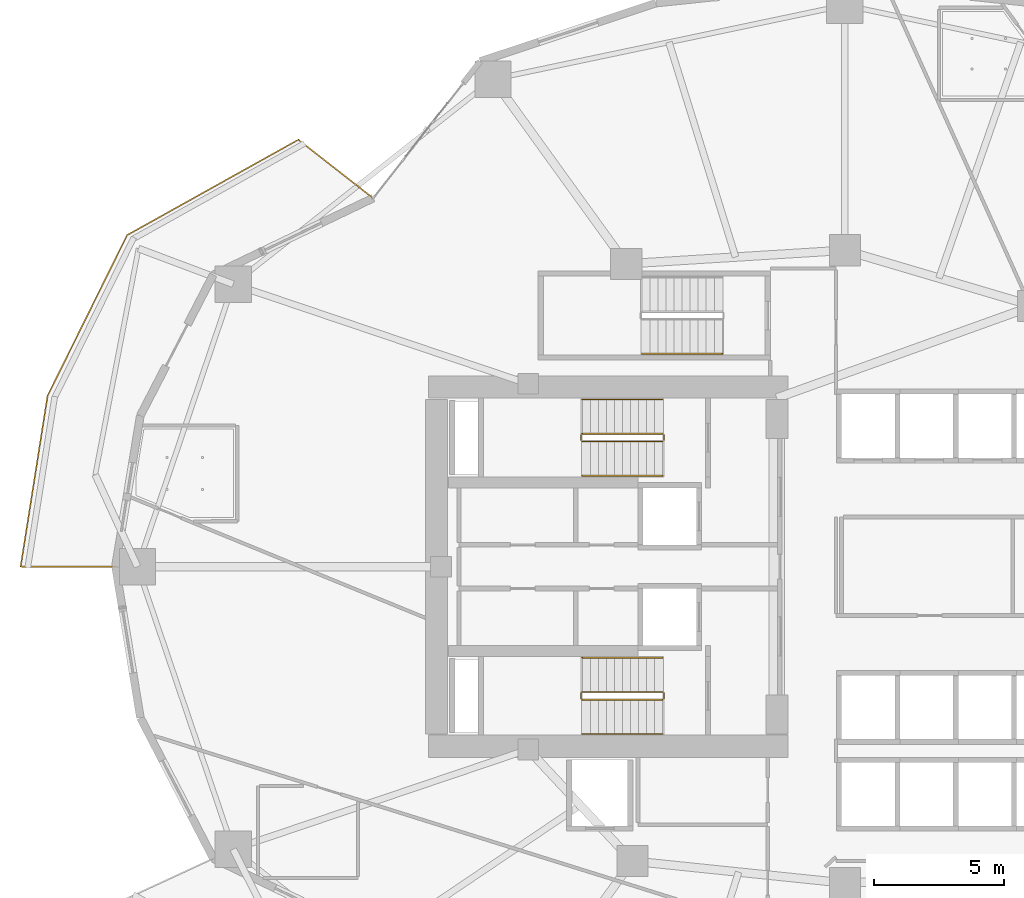
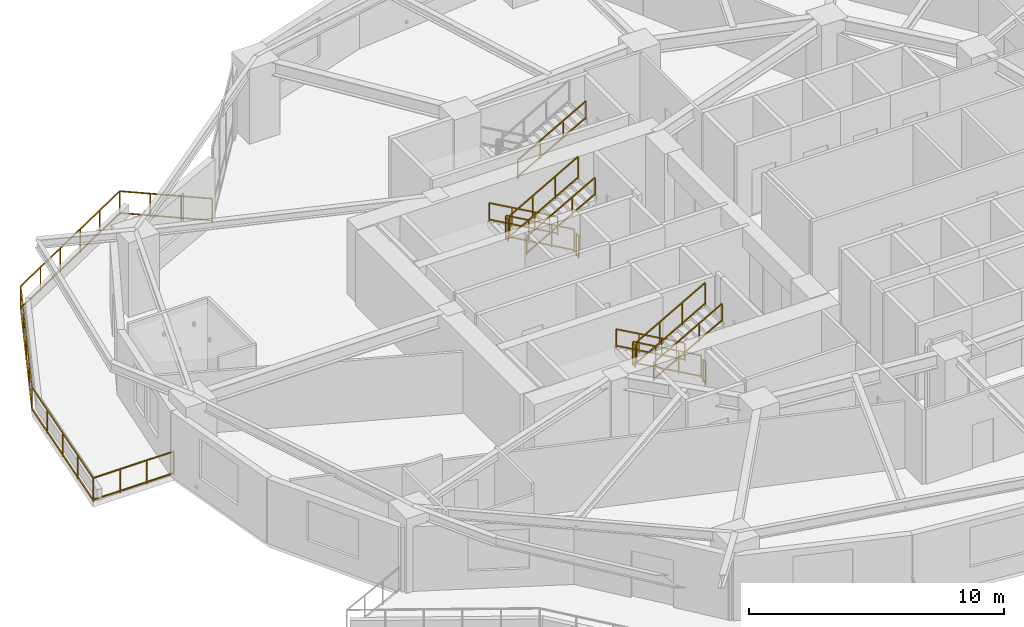
# One storey, part 15 of 18: 14 railings.
"""IFC4 building model written with IfcOpenShell, lengths in metres."""

from ifc_helpers import new_model, si_unit, direction, frame, origin, origin_2d, place, context, subcontext, project, spatial, rectangle, extrude, material, type_object, element, save


model = new_model("IFC4")

# Units and contexts
model_context = context("Model", 3, precision=1e-05, world=origin(), true_north=direction((0.0, 1.0)))
body_context = subcontext(model_context, "Body", "Model", "MODEL_VIEW")
ifc_project = project(units=[si_unit("LENGTHUNIT", "METRE"), si_unit("AREAUNIT", "SQUARE_METRE"), si_unit("VOLUMEUNIT", "CUBIC_METRE"), si_unit("PLANEANGLEUNIT", "RADIAN"), si_unit("MASSUNIT", "GRAM", prefix="KILO")], contexts=[model_context])

# Site, building, storey
site_placement = place(None, origin())
site = spatial("IfcSite", under=ifc_project, at=site_placement, CompositionType="ELEMENT")
building_placement = place(site_placement, origin())
building = spatial("IfcBuilding", under=site, at=building_placement, Name="Kolvaren Gate Tower and Convention Centre", CompositionType="ELEMENT")
storey_placement = place(building_placement, frame((0.0, 0.0, 30.35009765625)))
storey = spatial("IfcBuildingStorey", under=building, at=storey_placement, Name="L06", CompositionType="ELEMENT", Elevation=30.35009765625)

# Railings
ifc_material = material(Name="Brushed Stainless Steel Grade 316L", Category="steel")
railing_type_1 = type_object("IfcRailingType", Name="ARCH-RL-GUARD-1150", PredefinedType="GUARDRAIL", material=ifc_material)
railing_1_placement = place(storey_placement, frame((23.10009765625, 32.1298828125, 0.1748046875)))
element("IfcRailing", 1, at=railing_1_placement, inside=storey, type_object=railing_type_1, Name="L06 ST-T1 stair guard 1", PredefinedType="GUARDRAIL", context=body_context, shape_type="SweptSolid", body=[
    extrude(rectangle(XDim=0.048095703125, YDim=0.048095703125, at=origin_2d()), frame((0.0, 0.0, 1.076171875), z_axis=(-0.870830938388, 0.0, 0.491582624537), x_axis=(0.0, -1.0, 0.0)), (0.0, 0.0, 1.0), 3.559814453125),
    extrude(rectangle(XDim=0.048095703125, YDim=0.048095703125, at=origin_2d()), frame((0.0, 0.0, 0.083984375), z_axis=(-0.870830938388, 0.0, 0.491582624537), x_axis=(0.0, -1.0, 0.0)), (0.0, 0.0, 1.0), 3.559814453125),
    extrude(rectangle(XDim=0.0419921875, YDim=0.0419921875, at=origin_2d()), origin(), (0.0, 0.0, 1.0), 1.050048828125),
    extrude(rectangle(XDim=0.0419921875, YDim=0.0419921875, at=origin_2d()), frame((-3.10009765625, 0.0, 1.75)), (0.0, 0.0, 1.0), 1.050048828125),
    extrude(rectangle(XDim=0.0419921875, YDim=0.0419921875, at=origin_2d()), frame((-1.033447265625, 0.0, 0.583251953125)), (0.0, 0.0, 1.0), 1.050048828125),
    extrude(rectangle(XDim=0.0419921875, YDim=0.0419921875, at=origin_2d()), frame((-2.066650390625, 0.0, 1.166748046875)), (0.0, 0.0, 1.0), 1.050048828125),
])
railing_2_placement = place(storey_placement, frame((19.949951171875, 32.080078125, 1.9248046875)))
element("IfcRailing", 2, at=railing_2_placement, inside=storey, type_object=railing_type_1, Name="L06 ST-T1 stair guard 2", PredefinedType="GUARDRAIL", context=body_context, shape_type="SweptSolid", body=[
    extrude(rectangle(XDim=0.048095703125, YDim=0.048095703125, at=origin_2d()), frame((0.0, 0.0, 1.076171875), z_axis=(0.0, -1.0, 0.0), x_axis=(1.0, 0.0, 0.0)), (0.0, 0.0, 1.0), 0.2001953125),
    extrude(rectangle(XDim=0.048095703125, YDim=0.048095703125, at=origin_2d()), frame((0.0, 0.0, 0.083984375), z_axis=(0.0, -1.0, 0.0), x_axis=(1.0, 0.0, 0.0)), (0.0, 0.0, 1.0), 0.2001953125),
    extrude(rectangle(XDim=0.0419921875, YDim=0.0419921875, at=origin_2d()), origin(), (0.0, 0.0, 1.0), 1.050048828125),
    extrude(rectangle(XDim=0.0419921875, YDim=0.0419921875, at=origin_2d()), frame((0.0, -0.2001953125, 0.0)), (0.0, 0.0, 1.0), 1.050048828125),
])
railing_3_placement = place(storey_placement, frame((20.0, 31.830078125, 2.099853515625)))
element("IfcRailing", 3, at=railing_3_placement, inside=storey, type_object=railing_type_1, Name="L06 ST-T1 stair guard 3", PredefinedType="GUARDRAIL", context=body_context, shape_type="SweptSolid", body=[
    extrude(rectangle(XDim=0.048095703125, YDim=0.048095703125, at=origin_2d()), frame((0.0, 0.0, 1.076171875), z_axis=(0.870830938388, 0.0, 0.491582624537), x_axis=(0.0, 1.0, 0.0)), (0.0, 0.0, 1.0), 3.559814453125),
    extrude(rectangle(XDim=0.048095703125, YDim=0.048095703125, at=origin_2d()), frame((0.0, 0.0, 0.083984375), z_axis=(0.870830938388, 0.0, 0.491582624537), x_axis=(0.0, 1.0, 0.0)), (0.0, 0.0, 1.0), 3.559814453125),
    extrude(rectangle(XDim=0.0419921875, YDim=0.0419921875, at=origin_2d()), origin(), (0.0, 0.0, 1.0), 1.050048828125),
    extrude(rectangle(XDim=0.0419921875, YDim=0.0419921875, at=origin_2d()), frame((3.10009765625, 0.0, 1.75)), (0.0, 0.0, 1.0), 1.050048828125),
    extrude(rectangle(XDim=0.0419921875, YDim=0.0419921875, at=origin_2d()), frame((1.033447265625, 0.0, 0.583251953125)), (0.0, 0.0, 1.0), 1.050048828125),
    extrude(rectangle(XDim=0.0419921875, YDim=0.0419921875, at=origin_2d()), frame((2.066650390625, 0.0, 1.166748046875)), (0.0, 0.0, 1.0), 1.050048828125),
])
railing_4_placement = place(storey_placement, frame((23.14990234375, 32.080078125, 0.0)))
element("IfcRailing", 4, at=railing_4_placement, inside=storey, type_object=railing_type_1, Name="L06 ST-T1 stair guard 4", PredefinedType="GUARDRAIL", context=body_context, shape_type="SweptSolid", body=[
    extrude(rectangle(XDim=0.048095703125, YDim=0.048095703125, at=origin_2d()), frame((0.0, 0.0, 1.076171875), z_axis=(0.0, -1.0, 0.0), x_axis=(1.0, 0.0, 0.0)), (0.0, 0.0, 1.0), 0.2001953125),
    extrude(rectangle(XDim=0.048095703125, YDim=0.048095703125, at=origin_2d()), frame((0.0, 0.0, 0.083984375), z_axis=(0.0, -1.0, 0.0), x_axis=(1.0, 0.0, 0.0)), (0.0, 0.0, 1.0), 0.2001953125),
    extrude(rectangle(XDim=0.0419921875, YDim=0.0419921875, at=origin_2d()), origin(), (0.0, 0.0, 1.0), 1.050048828125),
    extrude(rectangle(XDim=0.0419921875, YDim=0.0419921875, at=origin_2d()), frame((0.0, -0.2001953125, 0.0)), (0.0, 0.0, 1.0), 1.050048828125),
])
railing_5_placement = place(storey_placement, frame((23.10009765625, 22.169921875, 0.1748046875)))
element("IfcRailing", 5, at=railing_5_placement, inside=storey, type_object=railing_type_1, Name="L06 ST-T2 stair guard 1", PredefinedType="GUARDRAIL", context=body_context, shape_type="SweptSolid", body=[
    extrude(rectangle(XDim=0.048095703125, YDim=0.048095703125, at=origin_2d()), frame((0.0, 0.0, 1.076171875), z_axis=(-0.870830938388, 0.0, 0.491582624537), x_axis=(0.0, -1.0, 0.0)), (0.0, 0.0, 1.0), 3.559814453125),
    extrude(rectangle(XDim=0.048095703125, YDim=0.048095703125, at=origin_2d()), frame((0.0, 0.0, 0.083984375), z_axis=(-0.870830938388, 0.0, 0.491582624537), x_axis=(0.0, -1.0, 0.0)), (0.0, 0.0, 1.0), 3.559814453125),
    extrude(rectangle(XDim=0.0419921875, YDim=0.0419921875, at=origin_2d()), origin(), (0.0, 0.0, 1.0), 1.050048828125),
    extrude(rectangle(XDim=0.0419921875, YDim=0.0419921875, at=origin_2d()), frame((-3.10009765625, 0.0, 1.75)), (0.0, 0.0, 1.0), 1.050048828125),
    extrude(rectangle(XDim=0.0419921875, YDim=0.0419921875, at=origin_2d()), frame((-1.033447265625, 0.0, 0.583251953125)), (0.0, 0.0, 1.0), 1.050048828125),
    extrude(rectangle(XDim=0.0419921875, YDim=0.0419921875, at=origin_2d()), frame((-2.066650390625, 0.0, 1.166748046875)), (0.0, 0.0, 1.0), 1.050048828125),
])
railing_6_placement = place(storey_placement, frame((19.949951171875, 22.1201171875, 1.9248046875)))
element("IfcRailing", 6, at=railing_6_placement, inside=storey, type_object=railing_type_1, Name="L06 ST-T2 stair guard 2", PredefinedType="GUARDRAIL", context=body_context, shape_type="SweptSolid", body=[
    extrude(rectangle(XDim=0.048095703125, YDim=0.048095703125, at=origin_2d()), frame((0.0, 0.0, 1.076171875), z_axis=(0.0, -1.0, 0.0), x_axis=(1.0, 0.0, 0.0)), (0.0, 0.0, 1.0), 0.2001953125),
    extrude(rectangle(XDim=0.048095703125, YDim=0.048095703125, at=origin_2d()), frame((0.0, 0.0, 0.083984375), z_axis=(0.0, -1.0, 0.0), x_axis=(1.0, 0.0, 0.0)), (0.0, 0.0, 1.0), 0.2001953125),
    extrude(rectangle(XDim=0.0419921875, YDim=0.0419921875, at=origin_2d()), origin(), (0.0, 0.0, 1.0), 1.050048828125),
    extrude(rectangle(XDim=0.0419921875, YDim=0.0419921875, at=origin_2d()), frame((0.0, -0.2001953125, 0.0)), (0.0, 0.0, 1.0), 1.050048828125),
])
railing_7_placement = place(storey_placement, frame((20.0, 21.8701171875, 2.099853515625)))
element("IfcRailing", 7, at=railing_7_placement, inside=storey, type_object=railing_type_1, Name="L06 ST-T2 stair guard 3", PredefinedType="GUARDRAIL", context=body_context, shape_type="SweptSolid", body=[
    extrude(rectangle(XDim=0.048095703125, YDim=0.048095703125, at=origin_2d()), frame((0.0, 0.0, 1.076171875), z_axis=(0.870830938388, 0.0, 0.491582624537), x_axis=(0.0, 1.0, 0.0)), (0.0, 0.0, 1.0), 3.559814453125),
    extrude(rectangle(XDim=0.048095703125, YDim=0.048095703125, at=origin_2d()), frame((0.0, 0.0, 0.083984375), z_axis=(0.870830938388, 0.0, 0.491582624537), x_axis=(0.0, 1.0, 0.0)), (0.0, 0.0, 1.0), 3.559814453125),
    extrude(rectangle(XDim=0.0419921875, YDim=0.0419921875, at=origin_2d()), origin(), (0.0, 0.0, 1.0), 1.050048828125),
    extrude(rectangle(XDim=0.0419921875, YDim=0.0419921875, at=origin_2d()), frame((3.10009765625, 0.0, 1.75)), (0.0, 0.0, 1.0), 1.050048828125),
    extrude(rectangle(XDim=0.0419921875, YDim=0.0419921875, at=origin_2d()), frame((1.033447265625, 0.0, 0.583251953125)), (0.0, 0.0, 1.0), 1.050048828125),
    extrude(rectangle(XDim=0.0419921875, YDim=0.0419921875, at=origin_2d()), frame((2.066650390625, 0.0, 1.166748046875)), (0.0, 0.0, 1.0), 1.050048828125),
])
railing_8_placement = place(storey_placement, frame((23.14990234375, 22.1201171875, 0.0)))
element("IfcRailing", 8, at=railing_8_placement, inside=storey, type_object=railing_type_1, Name="L06 ST-T2 stair guard 4", PredefinedType="GUARDRAIL", context=body_context, shape_type="SweptSolid", body=[
    extrude(rectangle(XDim=0.048095703125, YDim=0.048095703125, at=origin_2d()), frame((0.0, 0.0, 1.076171875), z_axis=(0.0, -1.0, 0.0), x_axis=(1.0, 0.0, 0.0)), (0.0, 0.0, 1.0), 0.2001953125),
    extrude(rectangle(XDim=0.048095703125, YDim=0.048095703125, at=origin_2d()), frame((0.0, 0.0, 0.083984375), z_axis=(0.0, -1.0, 0.0), x_axis=(1.0, 0.0, 0.0)), (0.0, 0.0, 1.0), 0.2001953125),
    extrude(rectangle(XDim=0.0419921875, YDim=0.0419921875, at=origin_2d()), origin(), (0.0, 0.0, 1.0), 1.050048828125),
    extrude(rectangle(XDim=0.0419921875, YDim=0.0419921875, at=origin_2d()), frame((0.0, -0.2001953125, 0.0)), (0.0, 0.0, 1.0), 1.050048828125),
])
railing_9_placement = place(storey_placement, frame((11.934814453125, 41.212890625, 0.0)))
element("IfcRailing", 9, at=railing_9_placement, inside=storey, type_object=railing_type_1, Name="Tower L06 Terrace Perimeter Guardrail GR-2", PredefinedType="GUARDRAIL", context=body_context, shape_type="SweptSolid", body=[
    extrude(rectangle(XDim=0.048095703125, YDim=0.048095703125, at=origin_2d()), frame((-0.022216796875, 0.017333984375, 1.1259765625), z_axis=(-0.787988976981, 0.61568934712, 0.0), x_axis=(-0.61568934712, -0.787988976981, 0.0)), (0.0, 0.0, 1.0), 3.60400390625),
    extrude(rectangle(XDim=0.048095703125, YDim=0.048095703125, at=origin_2d()), frame((-0.022216796875, 0.017333984375, 0.083984375), z_axis=(-0.787988976981, 0.61568934712, 0.0), x_axis=(-0.61568934712, -0.787988976981, 0.0)), (0.0, 0.0, 1.0), 3.60400390625),
    extrude(rectangle(XDim=0.048095703125, YDim=0.048095703125, at=origin_2d()), frame((-2.908447265625, 2.23974609375, 1.1259765625), z_axis=(-0.873486390754, -0.486848564923, 0.0), x_axis=(0.486848564923, -0.873486390754, 0.0)), (0.0, 0.0, 1.0), 7.506103515625),
    extrude(rectangle(XDim=0.048095703125, YDim=0.048095703125, at=origin_2d()), frame((-2.908447265625, 2.23974609375, 0.083984375), z_axis=(-0.873486390754, -0.486848564923, 0.0), x_axis=(0.486848564923, -0.873486390754, 0.0)), (0.0, 0.0, 1.0), 7.506103515625),
    extrude(rectangle(XDim=0.048095703125, YDim=0.048095703125, at=origin_2d()), frame((-9.501953125, -1.453369140625, 1.1259765625), z_axis=(-0.443578479433, -0.8962355341, 0.0), x_axis=(0.8962355341, -0.443578479433, 0.0)), (0.0, 0.0, 1.0), 6.855224609375),
    extrude(rectangle(XDim=0.048095703125, YDim=0.048095703125, at=origin_2d()), frame((-9.501953125, -1.453369140625, 0.083984375), z_axis=(-0.443578479433, -0.8962355341, 0.0), x_axis=(0.8962355341, -0.443578479433, 0.0)), (0.0, 0.0, 1.0), 6.855224609375),
    extrude(rectangle(XDim=0.048095703125, YDim=0.048095703125, at=origin_2d()), frame((-12.5595703125, -7.64990234375, 1.1259765625), z_axis=(-0.155806612617, -0.987787578108, 0.0), x_axis=(0.987787578108, -0.155806612617, 0.0)), (0.0, 0.0, 1.0), 6.615966796875),
    extrude(rectangle(XDim=0.048095703125, YDim=0.048095703125, at=origin_2d()), frame((-12.5595703125, -7.64990234375, 0.083984375), z_axis=(-0.155806612617, -0.987787578108, 0.0), x_axis=(0.987787578108, -0.155806612617, 0.0)), (0.0, 0.0, 1.0), 6.615966796875),
    extrude(rectangle(XDim=0.048095703125, YDim=0.048095703125, at=origin_2d()), frame((-13.566650390625, -14.212890625, 1.1259765625), z_axis=(1.0, 0.0, 0.0), x_axis=(0.0, 1.0, 0.0)), (0.0, 0.0, 1.0), 3.603759765625),
    extrude(rectangle(XDim=0.048095703125, YDim=0.048095703125, at=origin_2d()), frame((-13.566650390625, -14.212890625, 0.083984375), z_axis=(1.0, 0.0, 0.0), x_axis=(0.0, 1.0, 0.0)), (0.0, 0.0, 1.0), 3.603759765625),
    extrude(rectangle(XDim=0.0419921875, YDim=0.0419921875, at=origin_2d()), origin(), (0.0, 0.0, 1.0), 1.14990234375),
    extrude(rectangle(XDim=0.0419921875, YDim=0.0419921875, at=origin_2d()), frame((-2.884033203125, 2.25341796875, 0.0)), (0.0, 0.0, 1.0), 1.14990234375),
    extrude(rectangle(XDim=0.0419921875, YDim=0.0419921875, at=origin_2d()), frame((-0.96142578125, 0.751220703125, 0.0)), (0.0, 0.0, 1.0), 1.099853515625),
    extrude(rectangle(XDim=0.0419921875, YDim=0.0419921875, at=origin_2d()), frame((-1.922607421875, 1.502197265625, 0.0)), (0.0, 0.0, 1.0), 1.099853515625),
    extrude(rectangle(XDim=0.0419921875, YDim=0.0419921875, at=origin_2d()), frame((-9.489501953125, -1.42822265625, 0.0)), (0.0, 0.0, 1.0), 1.14990234375),
    extrude(rectangle(XDim=0.0419921875, YDim=0.0419921875, at=origin_2d()), frame((-4.205078125, 1.51708984375, 0.0)), (0.0, 0.0, 1.0), 1.099853515625),
    extrude(rectangle(XDim=0.0419921875, YDim=0.0419921875, at=origin_2d()), frame((-5.526123046875, 0.78076171875, 0.0)), (0.0, 0.0, 1.0), 1.099853515625),
    extrude(rectangle(XDim=0.0419921875, YDim=0.0419921875, at=origin_2d()), frame((-6.847412109375, 0.04443359375, 0.0)), (0.0, 0.0, 1.0), 1.099853515625),
    extrude(rectangle(XDim=0.0419921875, YDim=0.0419921875, at=origin_2d()), frame((-8.16845703125, -0.69189453125, 0.0)), (0.0, 0.0, 1.0), 1.099853515625),
    extrude(rectangle(XDim=0.0419921875, YDim=0.0419921875, at=origin_2d()), frame((-12.55517578125, -7.622314453125, 0.0)), (0.0, 0.0, 1.0), 1.14990234375),
    extrude(rectangle(XDim=0.0419921875, YDim=0.0419921875, at=origin_2d()), frame((-10.255859375, -2.976806640625, 0.0)), (0.0, 0.0, 1.0), 1.099853515625),
    extrude(rectangle(XDim=0.0419921875, YDim=0.0419921875, at=origin_2d()), frame((-11.0224609375, -4.525390625, 0.0)), (0.0, 0.0, 1.0), 1.099853515625),
    extrude(rectangle(XDim=0.0419921875, YDim=0.0419921875, at=origin_2d()), frame((-11.788818359375, -6.07373046875, 0.0)), (0.0, 0.0, 1.0), 1.099853515625),
    extrude(rectangle(XDim=0.0419921875, YDim=0.0419921875, at=origin_2d()), frame((-13.5947265625, -14.212890625, 0.0)), (0.0, 0.0, 1.0), 1.14990234375),
    extrude(rectangle(XDim=0.0419921875, YDim=0.0419921875, at=origin_2d()), frame((-12.81494140625, -9.27001953125, 0.0)), (0.0, 0.0, 1.0), 1.099853515625),
    extrude(rectangle(XDim=0.0419921875, YDim=0.0419921875, at=origin_2d()), frame((-13.074951171875, -10.91748046875, 0.0)), (0.0, 0.0, 1.0), 1.099853515625),
    extrude(rectangle(XDim=0.0419921875, YDim=0.0419921875, at=origin_2d()), frame((-13.3349609375, -12.565185546875, 0.0)), (0.0, 0.0, 1.0), 1.099853515625),
    extrude(rectangle(XDim=0.0419921875, YDim=0.0419921875, at=origin_2d()), frame((-9.934814453125, -14.212890625, 0.0)), (0.0, 0.0, 1.0), 1.14990234375),
    extrude(rectangle(XDim=0.0419921875, YDim=0.0419921875, at=origin_2d()), frame((-12.374755859375, -14.212890625, 0.0)), (0.0, 0.0, 1.0), 1.099853515625),
    extrude(rectangle(XDim=0.0419921875, YDim=0.0419921875, at=origin_2d()), frame((-11.15478515625, -14.212890625, 0.0)), (0.0, 0.0, 1.0), 1.099853515625),
])
railing_type_2 = type_object("IfcRailingType", Name="ARCH-RL-HANDRAIL-920", PredefinedType="HANDRAIL", material=ifc_material)
railing_10_placement = place(storey_placement, frame((23.10009765625, 33.449951171875, 0.1748046875)))
element("IfcRailing", 10, at=railing_10_placement, inside=storey, type_object=railing_type_2, Name="L06 ST-T1 stair handrail 1", PredefinedType="HANDRAIL", context=body_context, shape_type="SweptSolid", body=[
    extrude(rectangle(XDim=0.048095703125, YDim=0.048095703125, at=origin_2d()), frame((0.0, 0.0, 0.8759765625), z_axis=(-0.870830938388, 0.0, 0.491582624537), x_axis=(0.0, -1.0, 0.0)), (0.0, 0.0, 1.0), 3.559814453125),
    extrude(rectangle(XDim=0.048095703125, YDim=0.048095703125, at=origin_2d()), frame((0.0, 0.0, 0.083984375), z_axis=(-0.870830938388, 0.0, 0.491582624537), x_axis=(0.0, -1.0, 0.0)), (0.0, 0.0, 1.0), 3.559814453125),
    extrude(rectangle(XDim=0.0419921875, YDim=0.0419921875, at=origin_2d()), origin(), (0.0, 0.0, 1.0), 0.849853515625),
    extrude(rectangle(XDim=0.0419921875, YDim=0.0419921875, at=origin_2d()), frame((-3.10009765625, 0.0, 1.75)), (0.0, 0.0, 1.0), 0.849853515625),
    extrude(rectangle(XDim=0.0419921875, YDim=0.0419921875, at=origin_2d()), frame((-1.033447265625, 0.0, 0.583251953125)), (0.0, 0.0, 1.0), 0.849853515625),
    extrude(rectangle(XDim=0.0419921875, YDim=0.0419921875, at=origin_2d()), frame((-2.066650390625, 0.0, 1.166748046875)), (0.0, 0.0, 1.0), 0.849853515625),
])
railing_11_placement = place(storey_placement, frame((20.0, 30.510009765625, 2.099853515625)))
element("IfcRailing", 11, at=railing_11_placement, inside=storey, type_object=railing_type_2, Name="L06 ST-T1 stair handrail 2", PredefinedType="HANDRAIL", context=body_context, shape_type="SweptSolid", body=[
    extrude(rectangle(XDim=0.048095703125, YDim=0.048095703125, at=origin_2d()), frame((0.0, 0.0, 0.8759765625), z_axis=(0.870830938388, 0.0, 0.491582624537), x_axis=(0.0, 1.0, 0.0)), (0.0, 0.0, 1.0), 3.559814453125),
    extrude(rectangle(XDim=0.048095703125, YDim=0.048095703125, at=origin_2d()), frame((0.0, 0.0, 0.083984375), z_axis=(0.870830938388, 0.0, 0.491582624537), x_axis=(0.0, 1.0, 0.0)), (0.0, 0.0, 1.0), 3.559814453125),
    extrude(rectangle(XDim=0.0419921875, YDim=0.0419921875, at=origin_2d()), origin(), (0.0, 0.0, 1.0), 0.849853515625),
    extrude(rectangle(XDim=0.0419921875, YDim=0.0419921875, at=origin_2d()), frame((3.10009765625, 0.0, 1.75)), (0.0, 0.0, 1.0), 0.849853515625),
    extrude(rectangle(XDim=0.0419921875, YDim=0.0419921875, at=origin_2d()), frame((1.033447265625, 0.0, 0.583251953125)), (0.0, 0.0, 1.0), 0.849853515625),
    extrude(rectangle(XDim=0.0419921875, YDim=0.0419921875, at=origin_2d()), frame((2.066650390625, 0.0, 1.166748046875)), (0.0, 0.0, 1.0), 0.849853515625),
])
railing_12_placement = place(storey_placement, frame((23.10009765625, 23.489990234375, 0.1748046875)))
element("IfcRailing", 12, at=railing_12_placement, inside=storey, type_object=railing_type_2, Name="L06 ST-T2 stair handrail 1", PredefinedType="HANDRAIL", context=body_context, shape_type="SweptSolid", body=[
    extrude(rectangle(XDim=0.048095703125, YDim=0.048095703125, at=origin_2d()), frame((0.0, 0.0, 0.8759765625), z_axis=(-0.870830938388, 0.0, 0.491582624537), x_axis=(0.0, -1.0, 0.0)), (0.0, 0.0, 1.0), 3.559814453125),
    extrude(rectangle(XDim=0.048095703125, YDim=0.048095703125, at=origin_2d()), frame((0.0, 0.0, 0.083984375), z_axis=(-0.870830938388, 0.0, 0.491582624537), x_axis=(0.0, -1.0, 0.0)), (0.0, 0.0, 1.0), 3.559814453125),
    extrude(rectangle(XDim=0.0419921875, YDim=0.0419921875, at=origin_2d()), origin(), (0.0, 0.0, 1.0), 0.849853515625),
    extrude(rectangle(XDim=0.0419921875, YDim=0.0419921875, at=origin_2d()), frame((-3.10009765625, 0.0, 1.75)), (0.0, 0.0, 1.0), 0.849853515625),
    extrude(rectangle(XDim=0.0419921875, YDim=0.0419921875, at=origin_2d()), frame((-1.033447265625, 0.0, 0.583251953125)), (0.0, 0.0, 1.0), 0.849853515625),
    extrude(rectangle(XDim=0.0419921875, YDim=0.0419921875, at=origin_2d()), frame((-2.066650390625, 0.0, 1.166748046875)), (0.0, 0.0, 1.0), 0.849853515625),
])
railing_13_placement = place(storey_placement, frame((20.0, 20.550048828125, 2.099853515625)))
element("IfcRailing", 13, at=railing_13_placement, inside=storey, type_object=railing_type_2, Name="L06 ST-T2 stair handrail 2", PredefinedType="HANDRAIL", context=body_context, shape_type="SweptSolid", body=[
    extrude(rectangle(XDim=0.048095703125, YDim=0.048095703125, at=origin_2d()), frame((0.0, 0.0, 0.8759765625), z_axis=(0.870830938388, 0.0, 0.491582624537), x_axis=(0.0, 1.0, 0.0)), (0.0, 0.0, 1.0), 3.559814453125),
    extrude(rectangle(XDim=0.048095703125, YDim=0.048095703125, at=origin_2d()), frame((0.0, 0.0, 0.083984375), z_axis=(0.870830938388, 0.0, 0.491582624537), x_axis=(0.0, 1.0, 0.0)), (0.0, 0.0, 1.0), 3.559814453125),
    extrude(rectangle(XDim=0.0419921875, YDim=0.0419921875, at=origin_2d()), origin(), (0.0, 0.0, 1.0), 0.849853515625),
    extrude(rectangle(XDim=0.0419921875, YDim=0.0419921875, at=origin_2d()), frame((3.10009765625, 0.0, 1.75)), (0.0, 0.0, 1.0), 0.849853515625),
    extrude(rectangle(XDim=0.0419921875, YDim=0.0419921875, at=origin_2d()), frame((1.033447265625, 0.0, 0.583251953125)), (0.0, 0.0, 1.0), 0.849853515625),
    extrude(rectangle(XDim=0.0419921875, YDim=0.0419921875, at=origin_2d()), frame((2.066650390625, 0.0, 1.166748046875)), (0.0, 0.0, 1.0), 0.849853515625),
])
railing_14_placement = place(storey_placement, frame((22.300048828125, 35.2099609375, 2.099853515625)))
element("IfcRailing", 14, at=railing_14_placement, inside=storey, type_object=railing_type_2, Name="L06 ST-T3 stair handrail 2", PredefinedType="HANDRAIL", context=body_context, shape_type="SweptSolid", body=[
    extrude(rectangle(XDim=0.048095703125, YDim=0.048095703125, at=origin_2d()), frame((0.0, 0.0, 0.8759765625), z_axis=(0.870814364268, 0.0, 0.491611984175), x_axis=(0.0, 1.0, 0.0)), (0.0, 0.0, 1.0), 3.559814453125),
    extrude(rectangle(XDim=0.048095703125, YDim=0.048095703125, at=origin_2d()), frame((0.0, 0.0, 0.083984375), z_axis=(0.870814364268, 0.0, 0.491611984175), x_axis=(0.0, 1.0, 0.0)), (0.0, 0.0, 1.0), 3.559814453125),
    extrude(rectangle(XDim=0.0419921875, YDim=0.0419921875, at=origin_2d()), origin(), (0.0, 0.0, 1.0), 0.849853515625),
    extrude(rectangle(XDim=0.0419921875, YDim=0.0419921875, at=origin_2d()), frame((3.099853515625, 0.0, 1.75)), (0.0, 0.0, 1.0), 0.849853515625),
    extrude(rectangle(XDim=0.0419921875, YDim=0.0419921875, at=origin_2d()), frame((1.033203125, 0.0, 0.583251953125)), (0.0, 0.0, 1.0), 0.849853515625),
    extrude(rectangle(XDim=0.0419921875, YDim=0.0419921875, at=origin_2d()), frame((2.066650390625, 0.0, 1.166748046875)), (0.0, 0.0, 1.0), 0.849853515625),
])

save(model, "model.ifc")
